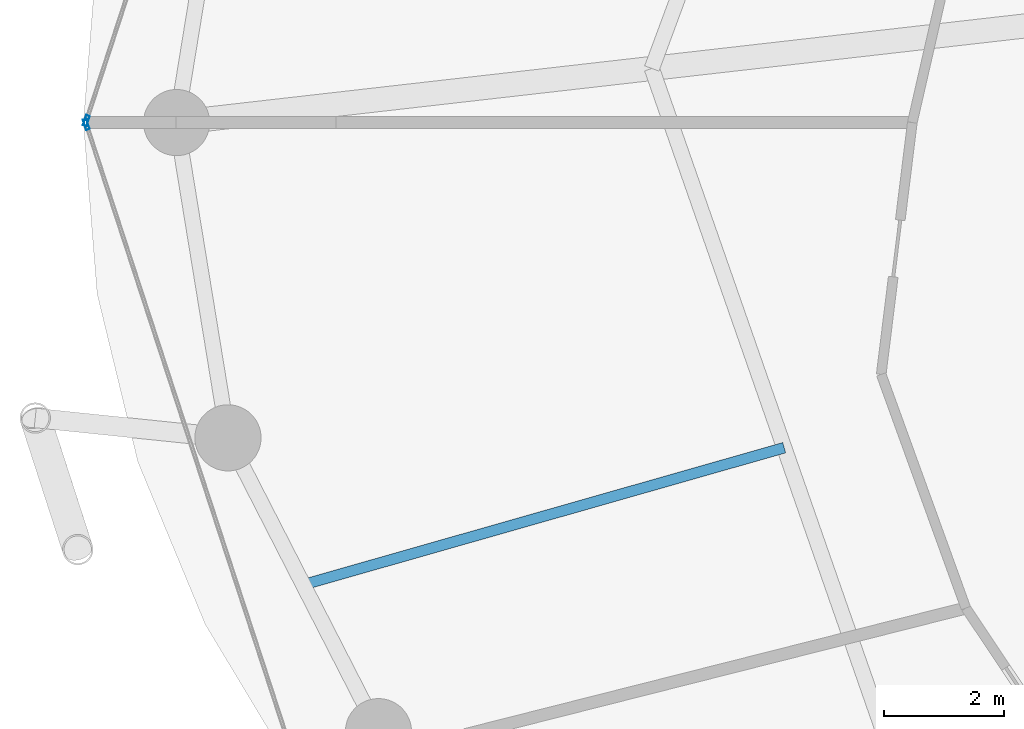
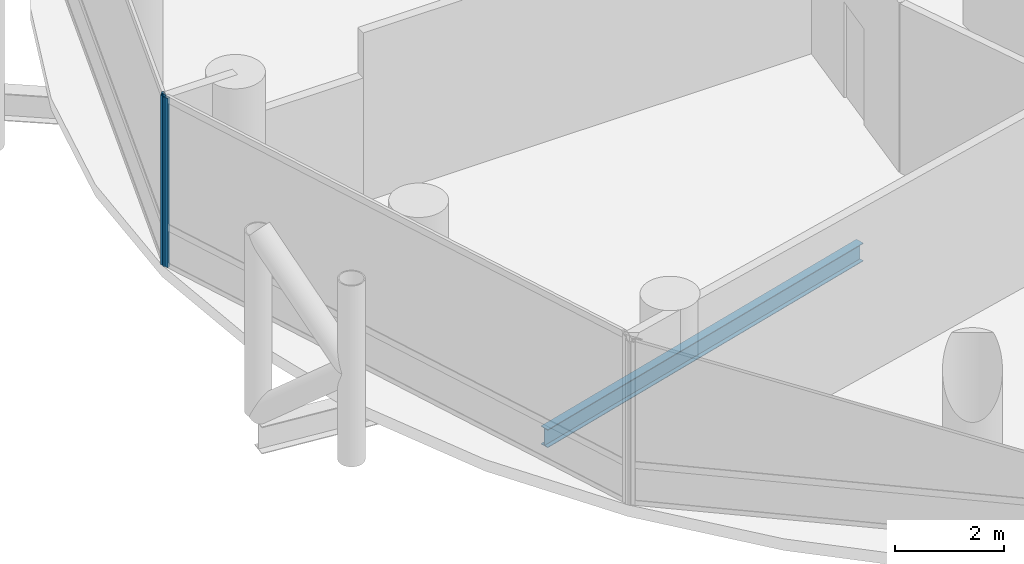
# One storey, part 6 of 24: 2 members, 1 beam, 2 elements without a shape of their own.
"""IFC4 building model written with IfcOpenShell, lengths in metres."""

from ifc_helpers import new_model, si_unit, direction, frame, origin, origin_2d, place, context, subcontext, project, spatial, hollow_rectangle, i_section, extrude, material, layer, layer_set, material_profile, profile_set, type_object, element, aggregate, save


model = new_model("IFC4")

# Units and contexts
model_context = context("Model", 3, precision=1e-05, world=origin(), true_north=direction((0.0, 1.0)))
body_context = subcontext(model_context, "Body", "Model", "MODEL_VIEW")
ifc_project = project(units=[si_unit("LENGTHUNIT", "METRE"), si_unit("AREAUNIT", "SQUARE_METRE"), si_unit("VOLUMEUNIT", "CUBIC_METRE"), si_unit("PLANEANGLEUNIT", "RADIAN"), si_unit("MASSUNIT", "GRAM", prefix="KILO")], contexts=[model_context])

# Site, building, storey
site_placement = place(None, origin())
site = spatial("IfcSite", under=ifc_project, at=site_placement, CompositionType="ELEMENT")
building_placement = place(site_placement, origin())
building = spatial("IfcBuilding", under=site, at=building_placement, Name="Nuhasar Tower", CompositionType="ELEMENT")
storey_placement = place(building_placement, frame((0.0, 0.0, 25.050048828125)))
storey = spatial("IfcBuildingStorey", under=building, at=storey_placement, Name="L05", CompositionType="ELEMENT", Elevation=25.050048828125)

# Beam
ifc_material_1 = material(Name="Steel S355", Category="steel")
ifc_material_profile_1 = material_profile(ifc_material_1, i_section(OverallWidth=0.177978515625, OverallDepth=0.406005859375, WebThickness=0.0078125, FlangeThickness=0.0126953125, at=origin_2d()), Name="W16X40")
ifc_profile_set_1 = profile_set([ifc_material_profile_1], Name="Steel S355")
beam_type = type_object("IfcBeamType", Name="BM-JST-W16X40", PredefinedType="JOIST", material=ifc_profile_set_1)
beam_placement = place(storey_placement, frame((24.051025390625, 21.39501953125, -0.463134765625), z_axis=(-0.961730884496, -0.273995813484, 0.0), x_axis=(0.273995813484, -0.961730884496, 0.0)))
element("IfcBeam", 1, at=beam_placement, inside=storey, type_object=beam_type, Name="L05 Secondary Floor Joist 08", PredefinedType="JOIST", context=body_context, shape_type="SweptSolid", body=[
    extrude(i_section(OverallWidth=0.177978515625, OverallDepth=0.406005859375, WebThickness=0.0078125, FlangeThickness=0.0126953125, at=origin_2d()), origin(), (0.0, 0.0, 1.0), 8.314208984375),
])

# Curtain wall, member
ifc_material_2 = material(Name="Aluminium 6063-T6", Category="aluminium")
ifc_layer = layer(ifc_material_2, 0.199951171875)
ifc_layer_set = layer_set([ifc_layer], Name="Aluminium 6063-T6")
curtain_wall_type = type_object("IfcCurtainWallType", Name="CW-Z1-OFF", PredefinedType="NOTDEFINED", material=ifc_layer_set)
curtain_wall_1_placement = place(storey_placement, origin())
curtain_wall_1 = element("IfcCurtainWall", 2, at=curtain_wall_1_placement, inside=storey, type_object=curtain_wall_type, Name="L05 Unitised Curtain Wall 06", PredefinedType="NOTDEFINED")
ifc_material_profile_2 = material_profile(ifc_material_2, hollow_rectangle(XDim=0.06494140625, YDim=0.179931640625, WallThickness=0.0048828125, at=origin_2d()), Name="CWM-2")
ifc_profile_set_2 = profile_set([ifc_material_profile_2], Name="Aluminium 6063-T6")
member_type = type_object("IfcMemberType", Name="CW-MUL-S2", PredefinedType="MULLION", material=ifc_profile_set_2)
member_1_placement = place(storey_placement, frame((12.4501953125, 26.830810546875, 0.0), z_axis=(0.0, 0.0, 1.0), x_axis=(0.950467534571, -0.310823849997, 0.0)))
member_1 = element("IfcMember", 3, at=member_1_placement, type_object=member_type, Name="CW-Z1 mullion 2", PredefinedType="MULLION", context=body_context, shape_type="SweptSolid", body=[
    extrude(hollow_rectangle(XDim=0.06494140625, YDim=0.179931640625, WallThickness=0.0048828125, at=origin_2d()), origin(), (0.0, 0.0, 1.0), 3.7900390625),
])
aggregate(curtain_wall_1, [member_1])

curtain_wall_2_placement = place(storey_placement, origin())
curtain_wall_2 = element("IfcCurtainWall", 4, at=curtain_wall_2_placement, inside=storey, type_object=curtain_wall_type, Name="L05 Unitised Curtain Wall 07", PredefinedType="NOTDEFINED")
member_2_placement = place(storey_placement, frame((12.4501953125, 26.76904296875, 0.0), z_axis=(0.0, 0.0, 1.0), x_axis=(0.950467534571, 0.310823849997, 0.0)))
member_2 = element("IfcMember", 5, at=member_2_placement, type_object=member_type, Name="CW-Z1 mullion 1", PredefinedType="MULLION", context=body_context, shape_type="SweptSolid", body=[
    extrude(hollow_rectangle(XDim=0.06494140625, YDim=0.179931640625, WallThickness=0.0048828125, at=origin_2d()), origin(), (0.0, 0.0, 1.0), 3.7900390625),
])
aggregate(curtain_wall_2, [member_2])

save(model, "model.ifc")
